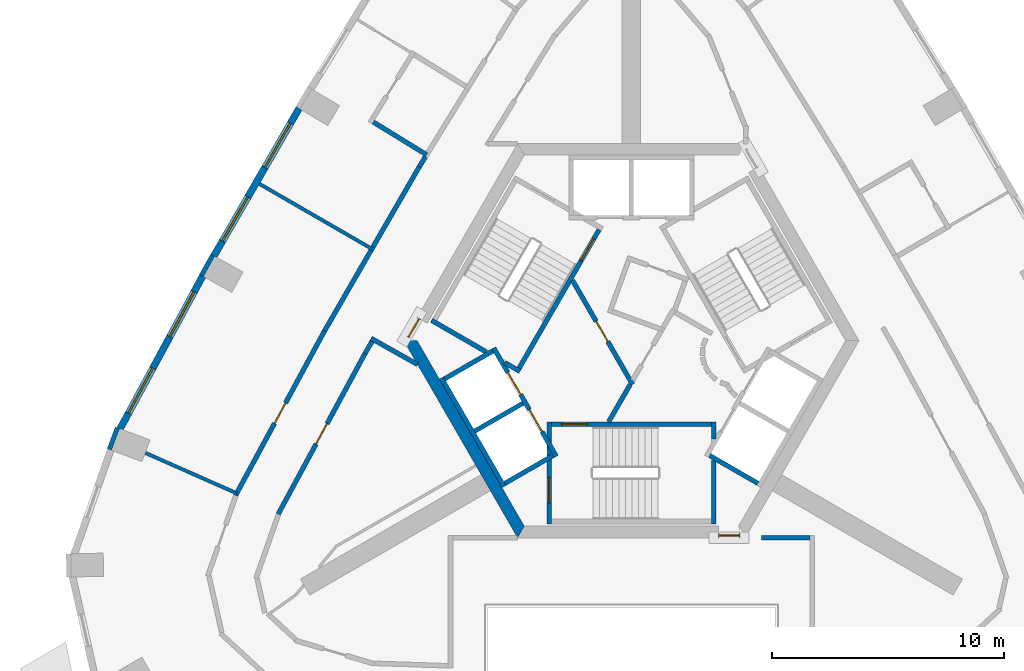
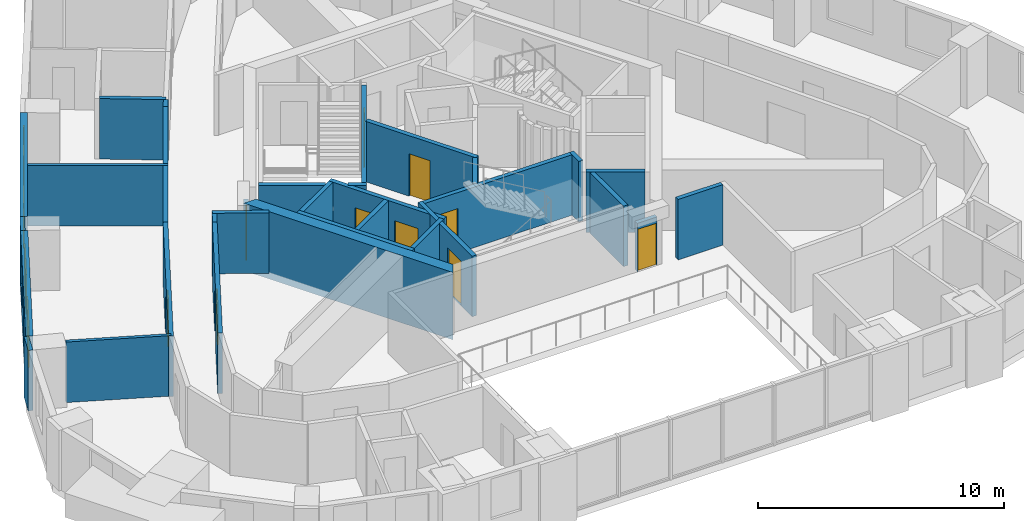
# One storey, part 4 of 10: 33 walls, 10 doors, 4 windows, 14 openings.
"""IFC4 building model written with IfcOpenShell, lengths in metres."""

from ifc_helpers import new_model, si_unit, direction, frame, frame_2d, origin, place, context, subcontext, project, spatial, polyline, rectangle, outline, extrude, material, layer, layer_set, type_object, element, fill, save


model = new_model("IFC4")

# Units and contexts
model_context = context("Model", 3, precision=1e-05, world=origin(), true_north=direction((0.0, 1.0)))
body_context = subcontext(model_context, "Body", "Model", "MODEL_VIEW")
ifc_project = project(units=[si_unit("LENGTHUNIT", "METRE"), si_unit("AREAUNIT", "SQUARE_METRE"), si_unit("VOLUMEUNIT", "CUBIC_METRE"), si_unit("PLANEANGLEUNIT", "RADIAN"), si_unit("MASSUNIT", "GRAM", prefix="KILO")], contexts=[model_context])

# Site, building, storey
site_placement = place(None, origin())
site = spatial("IfcSite", under=ifc_project, at=site_placement, CompositionType="ELEMENT")
building_placement = place(site_placement, origin())
building = spatial("IfcBuilding", under=site, at=building_placement, Name="Entoto Arch Interchange Tower", CompositionType="ELEMENT")
storey_placement = place(building_placement, frame((0.0, 0.0, 322.39990234375)))
storey = spatial("IfcBuildingStorey", under=building, at=storey_placement, Name="L76", CompositionType="ELEMENT", Elevation=322.39990234375)

# Wall, opening, door
ifc_material_1 = material(Name="Reinforced concrete C40/50", Category="concrete")
ifc_layer_1 = layer(ifc_material_1, 0.199951171875)
ifc_layer_set_1 = layer_set([ifc_layer_1], Name="Reinforced concrete C40/50")
wall_type_1 = type_object("IfcWallType", Name="CORE GAP INFILL WALL", PredefinedType="PARTITIONING", material=ifc_layer_set_1)
wall_1_placement = place(storey_placement, frame((3.75, -5.89990234375, 0.0), z_axis=(0.0, 0.0, 1.0), x_axis=(1.0, 0.0, 0.0)))
wall_1 = element("IfcWall", 1, at=wall_1_placement, inside=storey, type_object=wall_type_1, Name="wall:L76:gap1", PredefinedType="PARTITIONING", context=body_context, shape_type="SweptSolid", body=[
    extrude(rectangle(XDim=0.926025390625, YDim=0.199951171875, at=frame_2d((0.462890625, 0.0))), origin(), (0.0, 0.0, 1.0), 2.400146484375),
])
opening_1_placement = place(wall_1_placement, frame((0.01708984375, 0.0, 0.0)))
opening_1 = element("IfcOpeningElement", 2, at=opening_1_placement, cuts=wall_1, Name="Opening L76-D91", PredefinedType="OPENING", context=body_context, shape_type="SweptSolid", body=[
    extrude(rectangle(XDim=0.89990234375, YDim=2.10009765625, at=frame_2d((0.449951171875, 1.050048828125))), frame((0.0, 0.10986328125, 0.0), z_axis=(0.0, -1.0, 0.0), x_axis=(1.0, 0.0, 0.0)), (0.0, 0.0, 1.0), 0.219970703125),
])
ifc_material_2 = material(Name="Fire-rated Steel S235 door and frame", Category="steel")
door_type_1 = type_object("IfcDoorType", Name="DOOR FD-09 900x2100", OperationType="SINGLE_SWING_LEFT", PredefinedType="DOOR", material=ifc_material_2)
door_1_placement = place(opening_1_placement, origin())
door_1 = element("IfcDoor", 3, at=door_1_placement, inside=storey, type_object=door_type_1, Name="door:L76:gap1", OperationType="SINGLE_SWING_LEFT", OverallHeight=2.10009765625, OverallWidth=0.89990234375, PredefinedType="DOOR", context=body_context, shape_type="SweptSolid", body=[
    extrude(rectangle(XDim=0.89990234375, YDim=2.10009765625, at=frame_2d((0.449951171875, 1.050048828125))), frame((0.0, 0.02490234375, 0.0), z_axis=(0.0, -1.0, 0.0), x_axis=(1.0, 0.0, 0.0)), (0.0, 0.0, 1.0), 0.050048828125),
])
fill(opening_1, door_1)

wall_2_placement = place(storey_placement, frame((-9.14990234375, 3.451904296875, 0.0), z_axis=(0.0, 0.0, 1.0), x_axis=(-0.500079945886, -0.865979242085, 0.0)))
wall_2 = element("IfcWall", 4, at=wall_2_placement, inside=storey, type_object=wall_type_1, Name="wall:L76:gap3", PredefinedType="PARTITIONING", context=body_context, shape_type="SweptSolid", body=[
    extrude(rectangle(XDim=0.926025390625, YDim=0.199951171875, at=frame_2d((0.462890625, 0.0))), origin(), (0.0, 0.0, 1.0), 2.400146484375),
])
opening_2_placement = place(wall_2_placement, frame((0.01708984375, 0.0, 0.0)))
opening_2 = element("IfcOpeningElement", 5, at=opening_2_placement, cuts=wall_2, Name="Opening L76-D93", PredefinedType="OPENING", context=body_context, shape_type="SweptSolid", body=[
    extrude(rectangle(XDim=0.89990234375, YDim=2.10009765625, at=frame_2d((0.449951171875, 1.050048828125))), frame((0.0, 0.10986328125, 0.0), z_axis=(0.0, -1.0, 0.0), x_axis=(1.0, 0.0, 0.0)), (0.0, 0.0, 1.0), 0.219970703125),
])
door_2_placement = place(opening_2_placement, origin())
door_2 = element("IfcDoor", 6, at=door_2_placement, inside=storey, type_object=door_type_1, Name="door:L76:gap3", OperationType="SINGLE_SWING_LEFT", OverallHeight=2.10009765625, OverallWidth=0.89990234375, PredefinedType="DOOR", context=body_context, shape_type="SweptSolid", body=[
    extrude(rectangle(XDim=0.89990234375, YDim=2.10009765625, at=frame_2d((0.449951171875, 1.050048828125))), frame((0.0, 0.02490234375, 0.0), z_axis=(0.0, -1.0, 0.0), x_axis=(1.0, 0.0, 0.0)), (0.0, 0.0, 1.0), 0.050048828125),
])
fill(opening_2, door_2)

# Wall
ifc_material_3 = material(Name="Concrete C40/50", Category="concrete")
ifc_layer_2 = layer(ifc_material_3, 0.5)
ifc_layer_set_2 = layer_set([ifc_layer_2], Name="Concrete C40/50")
wall_type_2 = type_object("IfcWallType", Name="Core wall 500 C40/50", PredefinedType="SHEAR", material=ifc_layer_set_2)
wall_3_placement = place(storey_placement, frame((0.0, 0.0, -0.33984375)))
element("IfcWall", 7, at=wall_3_placement, inside=storey, type_object=wall_type_2, Name="Core wall SW L76", PredefinedType="SHEAR", context=body_context, shape_type="SweptSolid", body=[
    extrude(outline(polyline([(-9.81494140625, 2.5), (-4.906982421875, -6.0), (-4.618896484375, -5.5), (-9.238037109375, 2.5), (-9.81494140625, 2.5)])), origin(), (0.0, 0.0, 1.0), 3.33984375),
])

# Wall, openings, doors
ifc_layer_3 = layer(ifc_material_3, 0.199951171875)
ifc_layer_set_3 = layer_set([ifc_layer_3], Name="Concrete C40/50")
wall_type_3 = type_object("IfcWallType", Name="LIFT SHAFT WALL 200", PredefinedType="STANDARD", material=ifc_layer_set_3)
wall_4_placement = place(storey_placement, frame((-5.93994140625, 2.18798828125, 0.0), z_axis=(0.0, 0.0, 1.0), x_axis=(0.500034260056, -0.866005622828, 0.0)))
wall_4 = element("IfcWall", 8, at=wall_4_placement, inside=storey, type_object=wall_type_3, Name="Shaft wall SW1 front", PredefinedType="STANDARD", context=body_context, shape_type="SweptSolid", body=[
    extrude(rectangle(XDim=5.3994140625, YDim=0.199951171875, at=frame_2d((2.69970703125, 0.0))), origin(), (0.0, 0.0, 1.0), 3.0),
])
opening_3_placement = place(wall_4_placement, frame((3.074951171875, 0.0, 0.0)))
opening_3 = element("IfcOpeningElement", 9, at=opening_3_placement, cuts=wall_4, Name="Opening LD-HR4-L76", PredefinedType="OPENING", context=body_context, shape_type="SweptSolid", body=[
    extrude(rectangle(XDim=1.10009765625, YDim=2.10009765625, at=frame_2d((0.550048828125, 1.050048828125))), frame((0.0, 0.10986328125, 0.0), z_axis=(0.0, -1.0, 0.0), x_axis=(1.0, 0.0, 0.0)), (0.0, 0.0, 1.0), 0.219970703125),
])
opening_4_placement = place(wall_4_placement, frame((1.22509765625, 0.0, 0.0)))
opening_4 = element("IfcOpeningElement", 10, at=opening_4_placement, cuts=wall_4, Name="Opening LD-FF2-L76", PredefinedType="OPENING", context=body_context, shape_type="SweptSolid", body=[
    extrude(rectangle(XDim=1.10009765625, YDim=2.10009765625, at=frame_2d((0.550048828125, 1.050048828125))), frame((0.0, 0.10986328125, 0.0), z_axis=(0.0, -1.0, 0.0), x_axis=(1.0, 0.0, 0.0)), (0.0, 0.0, 1.0), 0.219970703125),
])
ifc_material_4 = material(Name="Stainless steel 1.4301 panels", Category="steel")
door_type_2 = type_object("IfcDoorType", Name="LIFT LANDING DOOR LD1 1100x2100", OperationType="SLIDING_TO_LEFT", PredefinedType="DOOR", material=ifc_material_4)
door_3_placement = place(opening_3_placement, origin())
door_3 = element("IfcDoor", 11, at=door_3_placement, inside=storey, type_object=door_type_2, Name="Lift landing door HR4 L76", OperationType="SLIDING_TO_LEFT", OverallHeight=2.10009765625, OverallWidth=1.10009765625, PredefinedType="DOOR", context=body_context, shape_type="SweptSolid", body=[
    extrude(rectangle(XDim=1.10009765625, YDim=2.10009765625, at=frame_2d((0.550048828125, 1.050048828125))), frame((0.0, 0.02490234375, 0.0), z_axis=(0.0, -1.0, 0.0), x_axis=(1.0, 0.0, 0.0)), (0.0, 0.0, 1.0), 0.050048828125),
])
fill(opening_3, door_3)
door_4_placement = place(opening_4_placement, origin())
door_4 = element("IfcDoor", 12, at=door_4_placement, inside=storey, type_object=door_type_2, Name="Lift landing door FF2 L76", OperationType="SLIDING_TO_LEFT", OverallHeight=2.10009765625, OverallWidth=1.10009765625, PredefinedType="DOOR", context=body_context, shape_type="SweptSolid", body=[
    extrude(rectangle(XDim=1.10009765625, YDim=2.10009765625, at=frame_2d((0.550048828125, 1.050048828125))), frame((0.0, 0.02490234375, 0.0), z_axis=(0.0, -1.0, 0.0), x_axis=(1.0, 0.0, 0.0)), (0.0, 0.0, 1.0), 0.050048828125),
])
fill(opening_4, door_4)

# Walls
wall_5_placement = place(storey_placement, frame((-8.19189453125, 0.887939453125, 0.0), z_axis=(0.0, 0.0, 1.0), x_axis=(0.500034260056, -0.866005622828, 0.0)))
element("IfcWall", 13, at=wall_5_placement, inside=storey, type_object=wall_type_3, Name="Shaft wall SW1 back", PredefinedType="STANDARD", context=body_context, shape_type="SweptSolid", body=[
    extrude(rectangle(XDim=5.3994140625, YDim=0.199951171875, at=frame_2d((2.69970703125, 0.0))), origin(), (0.0, 0.0, 1.0), 3.0),
])
for number, where, z_axis, x_axis, name in (
    (14, (-5.97705078125, 2.052001953125, 0.0), (0.0, 0.0, 1.0), (-0.865973769406, -0.500089422704, 0.0), "Shaft wall SW1 cross 1"),
    (15, (-4.677001953125, -0.199951171875, 0.0), (0.0, 0.0, 1.0), (-0.865973769406, -0.500089422704, 0.0), "Shaft wall SW1 cross 2"),
):
    element("IfcWall", number, at=place(storey_placement, frame(where, z_axis=z_axis, x_axis=x_axis)), inside=storey, type_object=wall_type_3, Name=name, PredefinedType="STANDARD", context=body_context, shape_type="SweptSolid", body=[
        extrude(rectangle(XDim=2.3994140625, YDim=0.199951171875, at=frame_2d((1.19970703125, 0.0))), origin(), (0.0, 0.0, 1.0), 3.0),
    ])
for number, where, z_axis, x_axis, name in (
    (16, (-3.376953125, -2.451904296875, 0.0), (0.0, 0.0, 1.0), (-0.865955154139, -0.50012165622, 0.0), "Shaft wall SW1 cross 3"),
    (17, (3.376953125, -2.451904296875, 0.0), (0.0, 0.0, 1.0), (0.865955154139, -0.50012165622, 0.0), "Shaft wall SE1 cross 1"),
):
    element("IfcWall", number, at=place(storey_placement, frame(where, z_axis=z_axis, x_axis=x_axis)), inside=storey, type_object=wall_type_3, Name=name, PredefinedType="STANDARD", context=body_context, shape_type="SweptSolid", body=[
        extrude(rectangle(XDim=2.39990234375, YDim=0.199951171875, at=frame_2d((1.199951171875, 0.0))), origin(), (0.0, 0.0, 1.0), 3.0),
    ])
ifc_material_5 = material(Name="Gypsum board partition on steel studs", Category="steel")
ifc_layer_4 = layer(ifc_material_5, 0.14990234375)
ifc_layer_set_4 = layer_set([ifc_layer_4], Name="Gypsum board partition on steel studs")
wall_type_4 = type_object("IfcWallType", Name="PARTITION 150", PredefinedType="PARTITIONING", material=ifc_layer_set_4)
wall_6_placement = place(storey_placement, frame((-11.10400390625, 6.409912109375, 0.0), z_axis=(0.0, 0.0, 1.0), x_axis=(-0.866004402611, 0.500036373335, 0.0)))
element("IfcWall", 18, at=wall_6_placement, inside=storey, type_object=wall_type_4, Name="wall:L76:p102", PredefinedType="PARTITIONING", context=body_context, shape_type="SweptSolid", body=[
    extrude(rectangle(XDim=5.69970703125, YDim=0.14990234375, at=frame_2d((2.849853515625, 0.0))), origin(), (0.0, 0.0, 1.0), 3.0),
])
wall_7_placement = place(storey_placement, frame((-17.02001953125, -4.08203125, 0.0), z_axis=(0.0, 0.0, 1.0), x_axis=(-0.914599611743, 0.404360668462, 0.0)))
element("IfcWall", 19, at=wall_7_placement, inside=storey, type_object=wall_type_4, Name="wall:L76:p103", PredefinedType="PARTITIONING", context=body_context, shape_type="SweptSolid", body=[
    extrude(rectangle(XDim=4.2958984375, YDim=0.14990234375, at=frame_2d((2.14794921875, 0.0))), origin(), (0.0, 0.0, 1.0), 3.0),
])
ifc_layer_5 = layer(ifc_material_5, 0.199951171875)
ifc_layer_set_5 = layer_set([ifc_layer_5], Name="Gypsum board partition on steel studs")
wall_type_5 = type_object("IfcWallType", Name="PARTITION 200", PredefinedType="PARTITIONING", material=ifc_layer_set_5)
wall_8_placement = place(storey_placement, frame((-11.18798828125, 2.464111328125, 0.0), z_axis=(0.0, 0.0, 1.0), x_axis=(-0.499406844493, -0.866367591542, 0.0)))
element("IfcWall", 20, at=wall_8_placement, inside=storey, type_object=wall_type_5, Name="wall:L76:p021", PredefinedType="PARTITIONING", context=body_context, shape_type="SweptSolid", body=[
    extrude(rectangle(XDim=0.602783203125, YDim=0.199951171875, at=frame_2d((0.30126953125, 0.0))), origin(), (0.0, 0.0, 1.0), 3.0),
])

# Wall, opening, door
wall_9_placement = place(storey_placement, frame((-11.489013671875, 1.94189453125, 0.0), z_axis=(0.0, 0.0, 1.0), x_axis=(-0.475643534049, -0.879638123615, 0.0)))
wall_9 = element("IfcWall", 21, at=wall_9_placement, inside=storey, type_object=wall_type_5, Name="wall:L76:p022", PredefinedType="PARTITIONING", context=body_context, shape_type="SweptSolid", body=[
    extrude(rectangle(XDim=7.871337890625, YDim=0.199951171875, at=frame_2d((3.935546875, 0.0))), origin(), (0.0, 0.0, 1.0), 3.0),
])
opening_5_placement = place(wall_9_placement, frame((3.43603515625, 0.0, 0.0)))
opening_5 = element("IfcOpeningElement", 22, at=opening_5_placement, cuts=wall_9, Name="Opening L76-D22", PredefinedType="OPENING", context=body_context, shape_type="SweptSolid", body=[
    extrude(rectangle(XDim=1.0, YDim=2.10009765625, at=frame_2d((0.5, 1.050048828125))), frame((0.0, 0.10986328125, 0.0), z_axis=(0.0, -1.0, 0.0), x_axis=(1.0, 0.0, 0.0)), (0.0, 0.0, 1.0), 0.219970703125),
])
ifc_material_6 = material(Name="Timber door leaf in Steel S235 frame", Category="steel")
door_type_3 = type_object("IfcDoorType", Name="DOOR DS-10 1000x2100", OperationType="SINGLE_SWING_LEFT", PredefinedType="DOOR", material=ifc_material_6)
door_5_placement = place(opening_5_placement, origin())
door_5 = element("IfcDoor", 23, at=door_5_placement, inside=storey, type_object=door_type_3, Name="door:L76:22", OperationType="SINGLE_SWING_LEFT", OverallHeight=2.10009765625, OverallWidth=1.0, PredefinedType="DOOR", context=body_context, shape_type="SweptSolid", body=[
    extrude(rectangle(XDim=1.0, YDim=2.10009765625, at=frame_2d((0.5, 1.050048828125))), frame((0.0, 0.02490234375, 0.0), z_axis=(0.0, -1.0, 0.0), x_axis=(1.0, 0.0, 0.0)), (0.0, 0.0, 1.0), 0.050048828125),
])
fill(opening_5, door_5)

# Walls
wall_10_placement = place(storey_placement, frame((-9.222900390625, 1.47412109375, 0.0), z_axis=(0.0, 0.0, 1.0), x_axis=(-0.871623785844, 0.490175454251, 0.0)))
element("IfcWall", 24, at=wall_10_placement, inside=storey, type_object=wall_type_5, Name="wall:L76:p025", PredefinedType="PARTITIONING", context=body_context, shape_type="SweptSolid", body=[
    extrude(rectangle(XDim=2.297119140625, YDim=0.199951171875, at=frame_2d((1.1484375, 0.0))), origin(), (0.0, 0.0, 1.0), 3.0),
])
wall_11_placement = place(storey_placement, frame((-11.153076171875, 6.52490234375, 0.0), z_axis=(0.0, 0.0, 1.0), x_axis=(0.500108414701, 0.865962801479, 0.0)))
element("IfcWall", 25, at=wall_11_placement, inside=storey, type_object=wall_type_5, Name="wall:L76:p046", PredefinedType="PARTITIONING", context=body_context, shape_type="SweptSolid", body=[
    extrude(rectangle(XDim=4.01513671875, YDim=0.199951171875, at=frame_2d((2.007568359375, 0.0))), origin(), (0.0, 0.0, 1.0), 3.0),
])
wall_12_placement = place(storey_placement, frame((-9.14501953125, 10.001953125, 0.0), z_axis=(0.0, 0.0, 1.0), x_axis=(0.523797791684, 0.851842634192, 0.0)))
element("IfcWall", 26, at=wall_12_placement, inside=storey, type_object=wall_type_5, Name="wall:L76:p047", PredefinedType="PARTITIONING", context=body_context, shape_type="SweptSolid", body=[
    extrude(rectangle(XDim=0.500244140625, YDim=0.199951171875, at=frame_2d((0.25, 0.0))), origin(), (0.0, 0.0, 1.0), 3.0),
])

# Wall, opening, door
wall_13_placement = place(storey_placement, frame((-17.068115234375, -4.169921875, 0.0), z_axis=(0.0, 0.0, 1.0), x_axis=(0.475681790703, 0.879617436158, 0.0)))
wall_13 = element("IfcWall", 27, at=wall_13_placement, inside=storey, type_object=wall_type_5, Name="wall:L76:p049", PredefinedType="PARTITIONING", context=body_context, shape_type="SweptSolid", body=[
    extrude(rectangle(XDim=8.057861328125, YDim=0.199951171875, at=frame_2d((4.02880859375, 0.0))), origin(), (0.0, 0.0, 1.0), 3.0),
])
opening_6_placement = place(wall_13_placement, frame((3.529052734375, 0.0, 0.0)))
opening_6 = element("IfcOpeningElement", 28, at=opening_6_placement, cuts=wall_13, Name="Opening L76-D17", PredefinedType="OPENING", context=body_context, shape_type="SweptSolid", body=[
    extrude(rectangle(XDim=1.0, YDim=2.10009765625, at=frame_2d((0.5, 1.050048828125))), frame((0.0, 0.10986328125, 0.0), z_axis=(0.0, -1.0, 0.0), x_axis=(1.0, 0.0, 0.0)), (0.0, 0.0, 1.0), 0.219970703125),
])
door_6_placement = place(opening_6_placement, origin())
door_6 = element("IfcDoor", 29, at=door_6_placement, inside=storey, type_object=door_type_3, Name="door:L76:17", OperationType="SINGLE_SWING_LEFT", OverallHeight=2.10009765625, OverallWidth=1.0, PredefinedType="DOOR", context=body_context, shape_type="SweptSolid", body=[
    extrude(rectangle(XDim=1.0, YDim=2.10009765625, at=frame_2d((0.5, 1.050048828125))), frame((0.0, 0.02490234375, 0.0), z_axis=(0.0, -1.0, 0.0), x_axis=(1.0, 0.0, 0.0)), (0.0, 0.0, 1.0), 0.050048828125),
])
fill(opening_6, door_6)

# Walls
wall_14_placement = place(storey_placement, frame((-13.235107421875, 2.91796875, 0.0), z_axis=(0.0, 0.0, 1.0), x_axis=(0.49992599743, 0.866068124973, 0.0)))
element("IfcWall", 30, at=wall_14_placement, inside=storey, type_object=wall_type_5, Name="wall:L76:p050", PredefinedType="PARTITIONING", context=body_context, shape_type="SweptSolid", body=[
    extrude(rectangle(XDim=4.0146484375, YDim=0.199951171875, at=frame_2d((2.00732421875, 0.0))), origin(), (0.0, 0.0, 1.0), 3.0),
])
wall_15_placement = place(storey_placement, frame((-0.98193359375, -1.0, 0.0), z_axis=(0.0, 0.0, 1.0), x_axis=(0.50024047865, 0.865886518847, 0.0)))
element("IfcWall", 31, at=wall_15_placement, inside=storey, type_object=wall_type_5, Name="wall:L76:p057", PredefinedType="PARTITIONING", context=body_context, shape_type="SweptSolid", body=[
    extrude(rectangle(XDim=1.86279296875, YDim=0.199951171875, at=frame_2d((0.931396484375, 0.0))), origin(), (0.0, 0.0, 1.0), 3.0),
])

# Wall, opening, door
wall_16_placement = place(storey_placement, frame((-2.5400390625, 5.10009765625, 0.0), z_axis=(0.0, 0.0, 1.0), x_axis=(0.499925051871, -0.866068670783, 0.0)))
wall_16 = element("IfcWall", 32, at=wall_16_placement, inside=storey, type_object=wall_type_5, Name="wall:L76:p068", PredefinedType="PARTITIONING", context=body_context, shape_type="SweptSolid", body=[
    extrude(rectangle(XDim=5.180908203125, YDim=0.199951171875, at=frame_2d((2.59033203125, 0.0))), origin(), (0.0, 0.0, 1.0), 3.0),
])
opening_7_placement = place(wall_16_placement, frame((2.0400390625, 0.0, 0.0)))
opening_7 = element("IfcOpeningElement", 33, at=opening_7_placement, cuts=wall_16, Name="Opening L76-D25", PredefinedType="OPENING", context=body_context, shape_type="SweptSolid", body=[
    extrude(rectangle(XDim=1.0, YDim=2.10009765625, at=frame_2d((0.5, 1.050048828125))), frame((0.0, 0.10986328125, 0.0), z_axis=(0.0, -1.0, 0.0), x_axis=(1.0, 0.0, 0.0)), (0.0, 0.0, 1.0), 0.219970703125),
])
door_type_4 = type_object("IfcDoorType", Name="DOOR FD-10 1000x2100", OperationType="SINGLE_SWING_LEFT", PredefinedType="DOOR", material=ifc_material_2)
door_7_placement = place(opening_7_placement, origin())
door_7 = element("IfcDoor", 34, at=door_7_placement, inside=storey, type_object=door_type_4, Name="door:L76:25", OperationType="SINGLE_SWING_RIGHT", OverallHeight=2.10009765625, OverallWidth=1.0, PredefinedType="DOOR", context=body_context, shape_type="SweptSolid", body=[
    extrude(rectangle(XDim=1.0, YDim=2.10009765625, at=frame_2d((0.5, 1.050048828125))), frame((0.0, 0.02490234375, 0.0), z_axis=(0.0, -1.0, 0.0), x_axis=(1.0, 0.0, 0.0)), (0.0, 0.0, 1.0), 0.050048828125),
])
fill(opening_7, door_7)

# Walls
wall_17_placement = place(storey_placement, frame((5.60107421875, -5.9990234375, 0.0), z_axis=(0.0, 0.0, 1.0), x_axis=(1.0, 0.0, 0.0)))
element("IfcWall", 35, at=wall_17_placement, inside=storey, type_object=wall_type_5, Name="wall:L76:p069", PredefinedType="PARTITIONING", context=body_context, shape_type="SweptSolid", body=[
    extrude(rectangle(XDim=2.098876953125, YDim=0.199951171875, at=frame_2d((1.04931640625, 0.0))), origin(), (0.0, 0.0, 1.0), 3.0),
])
wall_18_placement = place(storey_placement, frame((-11.1298828125, 11.927978515625, 0.0), z_axis=(0.0, 0.0, 1.0), x_axis=(0.851856970107, -0.523774476737, 0.0)))
element("IfcWall", 36, at=wall_18_placement, inside=storey, type_object=wall_type_5, Name="wall:L76:p101", PredefinedType="PARTITIONING", context=body_context, shape_type="SweptSolid", body=[
    extrude(rectangle(XDim=2.69970703125, YDim=0.199951171875, at=frame_2d((1.349853515625, 0.0))), origin(), (0.0, 0.0, 1.0), 3.0),
])

# Wall, opening, door
ifc_layer_6 = layer(ifc_material_3, 0.199951171875)
ifc_layer_set_6 = layer_set([ifc_layer_6], Name="Concrete C40/50")
wall_type_6 = type_object("IfcWallType", Name="STAIR ENCLOSURE WALL 200", PredefinedType="STANDARD", material=ifc_layer_set_6)
wall_19_placement = place(storey_placement, frame((-3.550048828125, -1.0, 0.0), z_axis=(0.0, 0.0, 1.0), x_axis=(0.0, -1.0, 0.0)))
wall_19 = element("IfcWall", 37, at=wall_19_placement, inside=storey, type_object=wall_type_6, Name="Stair wall ST-S near", PredefinedType="STANDARD", context=body_context, shape_type="SweptSolid", body=[
    extrude(rectangle(XDim=4.39990234375, YDim=0.199951171875, at=frame_2d((2.199951171875, 0.0))), origin(), (0.0, 0.0, 1.0), 3.0),
])
opening_8_placement = place(wall_19_placement, frame((2.39990234375, 0.0, 0.0)))
opening_8 = element("IfcOpeningElement", 38, at=opening_8_placement, cuts=wall_19, Name="Opening SD-ST-S-L76-E", PredefinedType="OPENING", context=body_context, shape_type="SweptSolid", body=[
    extrude(rectangle(XDim=1.10009765625, YDim=2.199951171875, at=frame_2d((0.550048828125, 1.10009765625))), frame((0.0, 0.10986328125, 0.0), z_axis=(0.0, -1.0, 0.0), x_axis=(1.0, 0.0, 0.0)), (0.0, 0.0, 1.0), 0.219970703125),
])
ifc_material_7 = material(Name="Steel S235", Category="steel")
door_type_5 = type_object("IfcDoorType", Name="STAIR DOOR SD1 1100x2200", OperationType="SINGLE_SWING_LEFT", PredefinedType="DOOR", material=ifc_material_7)
door_8_placement = place(opening_8_placement, origin())
door_8 = element("IfcDoor", 39, at=door_8_placement, inside=storey, type_object=door_type_5, Name="Stair door ST-S L76 end", OperationType="SINGLE_SWING_LEFT", OverallHeight=2.199951171875, OverallWidth=1.10009765625, PredefinedType="DOOR", context=body_context, shape_type="SweptSolid", body=[
    extrude(rectangle(XDim=1.10009765625, YDim=2.199951171875, at=frame_2d((0.550048828125, 1.10009765625))), frame((0.0, 0.02490234375, 0.0), z_axis=(0.0, -1.0, 0.0), x_axis=(1.0, 0.0, 0.0)), (0.0, 0.0, 1.0), 0.050048828125),
])
fill(opening_8, door_8)

# Walls
wall_20_placement = place(storey_placement, frame((3.550048828125, -2.6669921875, 0.0), z_axis=(0.0, 0.0, 1.0), x_axis=(0.0, -1.0, 0.0)))
element("IfcWall", 40, at=wall_20_placement, inside=storey, type_object=wall_type_6, Name="Stair wall ST-S far", PredefinedType="STANDARD", context=body_context, shape_type="SweptSolid", body=[
    extrude(rectangle(XDim=2.73291015625, YDim=0.199951171875, at=frame_2d((1.366455078125, 0.0))), origin(), (0.0, 0.0, 1.0), 3.0),
])
wall_21_placement = place(storey_placement, frame((3.550048828125, -1.0, 0.0), z_axis=(0.0, 0.0, 1.0), x_axis=(0.0, -1.0, 0.0)))
element("IfcWall", 41, at=wall_21_placement, inside=storey, type_object=wall_type_6, Name="Stair wall ST-S far return", PredefinedType="STANDARD", context=body_context, shape_type="SweptSolid", body=[
    extrude(rectangle(XDim=0.7509765625, YDim=0.199951171875, at=frame_2d((0.37548828125, 0.0))), origin(), (0.0, 0.0, 1.0), 3.0),
])

# Wall, opening, door
wall_22_placement = place(storey_placement, frame((-3.449951171875, -1.10009765625, 0.0), z_axis=(0.0, 0.0, 1.0), x_axis=(1.0, 0.0, 0.0)))
wall_22 = element("IfcWall", 42, at=wall_22_placement, inside=storey, type_object=wall_type_6, Name="Stair wall ST-S hall", PredefinedType="STANDARD", context=body_context, shape_type="SweptSolid", body=[
    extrude(rectangle(XDim=6.89990234375, YDim=0.199951171875, at=frame_2d((3.449951171875, 0.0))), origin(), (0.0, 0.0, 1.0), 3.0),
])
opening_9_placement = place(wall_22_placement, frame((0.449951171875, 0.0, 0.0)))
opening_9 = element("IfcOpeningElement", 43, at=opening_9_placement, cuts=wall_22, Name="Opening SD-ST-S-L76", PredefinedType="OPENING", context=body_context, shape_type="SweptSolid", body=[
    extrude(rectangle(XDim=1.10009765625, YDim=2.199951171875, at=frame_2d((0.550048828125, 1.10009765625))), frame((0.0, 0.10986328125, 0.0), z_axis=(0.0, -1.0, 0.0), x_axis=(1.0, 0.0, 0.0)), (0.0, 0.0, 1.0), 0.219970703125),
])
door_9_placement = place(opening_9_placement, origin())
door_9 = element("IfcDoor", 44, at=door_9_placement, inside=storey, type_object=door_type_5, Name="Stair door ST-S L76", OperationType="SINGLE_SWING_LEFT", OverallHeight=2.199951171875, OverallWidth=1.10009765625, PredefinedType="DOOR", context=body_context, shape_type="SweptSolid", body=[
    extrude(rectangle(XDim=1.10009765625, YDim=2.199951171875, at=frame_2d((0.550048828125, 1.10009765625))), frame((0.0, 0.02490234375, 0.0), z_axis=(0.0, -1.0, 0.0), x_axis=(1.0, 0.0, 0.0)), (0.0, 0.0, 1.0), 0.050048828125),
])
fill(opening_9, door_9)

# Walls
wall_23_placement = place(storey_placement, frame((-6.25, 2.010009765625, 0.0), z_axis=(0.0, 0.0, 1.0), x_axis=(-0.86611865017, 0.499838457731, 0.0)))
element("IfcWall", 45, at=wall_23_placement, inside=storey, type_object=wall_type_6, Name="Stair wall ST-NW far", PredefinedType="STANDARD", context=body_context, shape_type="SweptSolid", body=[
    extrude(rectangle(XDim=2.73291015625, YDim=0.199951171875, at=frame_2d((1.366455078125, 0.0))), origin(), (0.0, 0.0, 1.0), 3.0),
])
wall_24_placement = place(storey_placement, frame((-4.805908203125, 1.176025390625, 0.0), z_axis=(0.0, 0.0, 1.0), x_axis=(-0.866558586415, 0.499075361355, 0.0)))
element("IfcWall", 46, at=wall_24_placement, inside=storey, type_object=wall_type_6, Name="Stair wall ST-NW far return", PredefinedType="STANDARD", context=body_context, shape_type="SweptSolid", body=[
    extrude(rectangle(XDim=0.75146484375, YDim=0.199951171875, at=frame_2d((0.375732421875, 0.0))), origin(), (0.0, 0.0, 1.0), 3.0),
])

# Wall, opening, door
wall_25_placement = place(storey_placement, frame((-1.39306640625, 7.2880859375, 0.0), z_axis=(0.0, 0.0, 1.0), x_axis=(-0.499963383562, -0.866046543262, 0.0)))
wall_25 = element("IfcWall", 47, at=wall_25_placement, inside=storey, type_object=wall_type_6, Name="Stair wall ST-NW hall", PredefinedType="STANDARD", context=body_context, shape_type="SweptSolid", body=[
    extrude(rectangle(XDim=6.900390625, YDim=0.199951171875, at=frame_2d((3.4501953125, 0.0))), origin(), (0.0, 0.0, 1.0), 3.0),
])
opening_10_placement = place(wall_25_placement, frame((0.449951171875, 0.0, 0.0)))
opening_10 = element("IfcOpeningElement", 48, at=opening_10_placement, cuts=wall_25, Name="Opening SD-ST-NW-L76", PredefinedType="OPENING", context=body_context, shape_type="SweptSolid", body=[
    extrude(rectangle(XDim=1.10009765625, YDim=2.199951171875, at=frame_2d((0.550048828125, 1.10009765625))), frame((0.0, 0.10986328125, 0.0), z_axis=(0.0, -1.0, 0.0), x_axis=(1.0, 0.0, 0.0)), (0.0, 0.0, 1.0), 0.219970703125),
])
door_10_placement = place(opening_10_placement, origin())
door_10 = element("IfcDoor", 49, at=door_10_placement, inside=storey, type_object=door_type_5, Name="Stair door ST-NW L76", OperationType="SINGLE_SWING_LEFT", OverallHeight=2.199951171875, OverallWidth=1.10009765625, PredefinedType="DOOR", context=body_context, shape_type="SweptSolid", body=[
    extrude(rectangle(XDim=1.10009765625, YDim=2.199951171875, at=frame_2d((0.550048828125, 1.10009765625))), frame((0.0, 0.02490234375, 0.0), z_axis=(0.0, -1.0, 0.0), x_axis=(1.0, 0.0, 0.0)), (0.0, 0.0, 1.0), 0.050048828125),
])
fill(opening_10, door_10)

# Wall, openings, windows
ifc_material_8 = material(Name="Welded tuff (ignimbrite) cladding, warm buff", Category="masonry")
ifc_layer_7 = layer(ifc_material_8, 0.300048828125)
ifc_layer_set_7 = layer_set([ifc_layer_7], Name="Welded tuff (ignimbrite) cladding, warm buff")
wall_type_7 = type_object("IfcWallType", Name="STONE INFILL WALL 300", PredefinedType="STANDARD", material=ifc_layer_set_7)
wall_26_placement = place(storey_placement, frame((-14.333984375, 12.514892578125, 0.0), z_axis=(0.0, 0.0, 1.0), x_axis=(-0.499958474759, -0.866049377066, 0.0)))
wall_26 = element("IfcWall", 50, at=wall_26_placement, inside=storey, type_object=wall_type_7, Name="Facade wall NW-02 L76", PredefinedType="STANDARD", context=body_context, shape_type="SweptSolid", body=[
    extrude(rectangle(XDim=7.34228515625, YDim=0.300048828125, at=frame_2d((3.671142578125, 0.0))), origin(), (0.0, 0.0, 1.0), 3.0),
])
opening_11_placement = place(wall_26_placement, frame((0.736083984375, 0.0, 0.89990234375)))
opening_11 = element("IfcOpeningElement", 51, at=opening_11_placement, cuts=wall_26, Name="Opening WH-A", PredefinedType="OPENING", context=body_context, shape_type="SweptSolid", body=[
    extrude(rectangle(XDim=2.199951171875, YDim=2.0, at=frame_2d((1.10009765625, 1.0))), frame((0.0, 0.16015625, 0.0), z_axis=(0.0, -1.0, 0.0), x_axis=(1.0, 0.0, 0.0)), (0.0, 0.0, 1.0), 0.320068359375),
])
opening_12_placement = place(wall_26_placement, frame((4.406982421875, 0.0, 0.89990234375)))
opening_12 = element("IfcOpeningElement", 52, at=opening_12_placement, cuts=wall_26, Name="Opening WH-A", PredefinedType="OPENING", context=body_context, shape_type="SweptSolid", body=[
    extrude(rectangle(XDim=2.199951171875, YDim=2.0, at=frame_2d((1.10009765625, 1.0))), frame((0.0, 0.16015625, 0.0), z_axis=(0.0, -1.0, 0.0), x_axis=(1.0, 0.0, 0.0)), (0.0, 0.0, 1.0), 0.320068359375),
])
ifc_material_9 = material(Name="Clear glass, low-e double glazed", Category="glass")
window_type = type_object("IfcWindowType", Name="WINDOW WH-A 2200x2000", PartitioningType="DOUBLE_PANEL_VERTICAL", PredefinedType="WINDOW", material=ifc_material_9)
window_1_placement = place(opening_11_placement, origin())
window_1 = element("IfcWindow", 53, at=window_1_placement, inside=storey, type_object=window_type, Name="Window WH-A NW-02 L76", OverallHeight=2.0, OverallWidth=2.199951171875, PartitioningType="SINGLE_PANEL", PredefinedType="WINDOW", context=body_context, shape_type="SweptSolid", body=[
    extrude(rectangle(XDim=2.199951171875, YDim=2.0, at=frame_2d((1.10009765625, 1.0))), frame((0.0, 0.030029296875, 0.0), z_axis=(0.0, -1.0, 0.0), x_axis=(1.0, 0.0, 0.0)), (0.0, 0.0, 1.0), 0.06005859375),
])
fill(opening_11, window_1)
window_2_placement = place(opening_12_placement, origin())
window_2 = element("IfcWindow", 54, at=window_2_placement, inside=storey, type_object=window_type, Name="Window WH-A NW-02 L76", OverallHeight=2.0, OverallWidth=2.199951171875, PartitioningType="SINGLE_PANEL", PredefinedType="WINDOW", context=body_context, shape_type="SweptSolid", body=[
    extrude(rectangle(XDim=2.199951171875, YDim=2.0, at=frame_2d((1.10009765625, 1.0))), frame((0.0, 0.030029296875, 0.0), z_axis=(0.0, -1.0, 0.0), x_axis=(1.0, 0.0, 0.0)), (0.0, 0.0, 1.0), 0.06005859375),
])
fill(opening_12, window_2)

wall_27_placement = place(storey_placement, frame((-18.491943359375, 5.284912109375, 0.0), z_axis=(0.0, 0.0, 1.0), x_axis=(-0.475690331633, -0.879612817319, 0.0)))
wall_27 = element("IfcWall", 55, at=wall_27_placement, inside=storey, type_object=wall_type_7, Name="Facade wall NW-03 L76", PredefinedType="STANDARD", context=body_context, shape_type="SweptSolid", body=[
    extrude(rectangle(XDim=7.48388671875, YDim=0.300048828125, at=frame_2d((3.741943359375, 0.0))), origin(), (0.0, 0.0, 1.0), 3.0),
])
opening_13_placement = place(wall_27_placement, frame((0.77099609375, 0.0, 0.89990234375)))
opening_13 = element("IfcOpeningElement", 56, at=opening_13_placement, cuts=wall_27, Name="Opening WH-A", PredefinedType="OPENING", context=body_context, shape_type="SweptSolid", body=[
    extrude(rectangle(XDim=2.199951171875, YDim=2.0, at=frame_2d((1.10009765625, 1.0))), frame((0.0, 0.16015625, 0.0), z_axis=(0.0, -1.0, 0.0), x_axis=(1.0, 0.0, 0.0)), (0.0, 0.0, 1.0), 0.320068359375),
])
opening_14_placement = place(wall_27_placement, frame((4.512939453125, 0.0, 0.89990234375)))
opening_14 = element("IfcOpeningElement", 57, at=opening_14_placement, cuts=wall_27, Name="Opening WH-A", PredefinedType="OPENING", context=body_context, shape_type="SweptSolid", body=[
    extrude(rectangle(XDim=2.199951171875, YDim=2.0, at=frame_2d((1.10009765625, 1.0))), frame((0.0, 0.16015625, 0.0), z_axis=(0.0, -1.0, 0.0), x_axis=(1.0, 0.0, 0.0)), (0.0, 0.0, 1.0), 0.320068359375),
])
window_3_placement = place(opening_13_placement, origin())
window_3 = element("IfcWindow", 58, at=window_3_placement, inside=storey, type_object=window_type, Name="Window WH-A NW-03 L76", OverallHeight=2.0, OverallWidth=2.199951171875, PartitioningType="SINGLE_PANEL", PredefinedType="WINDOW", context=body_context, shape_type="SweptSolid", body=[
    extrude(rectangle(XDim=2.199951171875, YDim=2.0, at=frame_2d((1.10009765625, 1.0))), frame((0.0, 0.030029296875, 0.0), z_axis=(0.0, -1.0, 0.0), x_axis=(1.0, 0.0, 0.0)), (0.0, 0.0, 1.0), 0.06005859375),
])
fill(opening_13, window_3)
window_4_placement = place(opening_14_placement, origin())
window_4 = element("IfcWindow", 59, at=window_4_placement, inside=storey, type_object=window_type, Name="Window WH-A NW-03 L76", OverallHeight=2.0, OverallWidth=2.199951171875, PartitioningType="SINGLE_PANEL", PredefinedType="WINDOW", context=body_context, shape_type="SweptSolid", body=[
    extrude(rectangle(XDim=2.199951171875, YDim=2.0, at=frame_2d((1.10009765625, 1.0))), frame((0.0, 0.030029296875, 0.0), z_axis=(0.0, -1.0, 0.0), x_axis=(1.0, 0.0, 0.0)), (0.0, 0.0, 1.0), 0.06005859375),
])
fill(opening_14, window_4)

# Walls
ifc_layer_8 = layer(ifc_material_8, 0.199951171875)
ifc_layer_set_8 = layer_set([ifc_layer_8], Name="Welded tuff (ignimbrite) cladding, warm buff")
wall_type_8 = type_object("IfcWallType", Name="STONE PIER CLADDING 200", PredefinedType="STANDARD", material=ifc_layer_set_8)
wall_28_placement = place(storey_placement, frame((-18.055908203125, 6.18505859375, 0.0), z_axis=(0.0, 0.0, 1.0), x_axis=(-0.486036693078, -0.873938403425, 0.0)))
element("IfcWall", 60, at=wall_28_placement, inside=storey, type_object=wall_type_8, Name="Stone pier NW03 L76", PredefinedType="STANDARD", context=body_context, shape_type="SweptSolid", body=[
    extrude(rectangle(XDim=1.0, YDim=0.199951171875, at=frame_2d((0.5, 0.0))), origin(), (0.0, 0.0, 1.0), 3.0),
])
wall_29_placement = place(storey_placement, frame((-22.1640625, -1.2548828125, 0.0), z_axis=(0.0, 0.0, 1.0), x_axis=(-0.350962844851, -0.936389385637, 0.0)))
element("IfcWall", 61, at=wall_29_placement, inside=storey, type_object=wall_type_8, Name="Stone pier NW04 L76", PredefinedType="STANDARD", context=body_context, shape_type="SweptSolid", body=[
    extrude(rectangle(XDim=0.99951171875, YDim=0.199951171875, at=frame_2d((0.499755859375, 0.0))), origin(), (0.0, 0.0, 1.0), 3.0),
])

save(model, "model.ifc")
